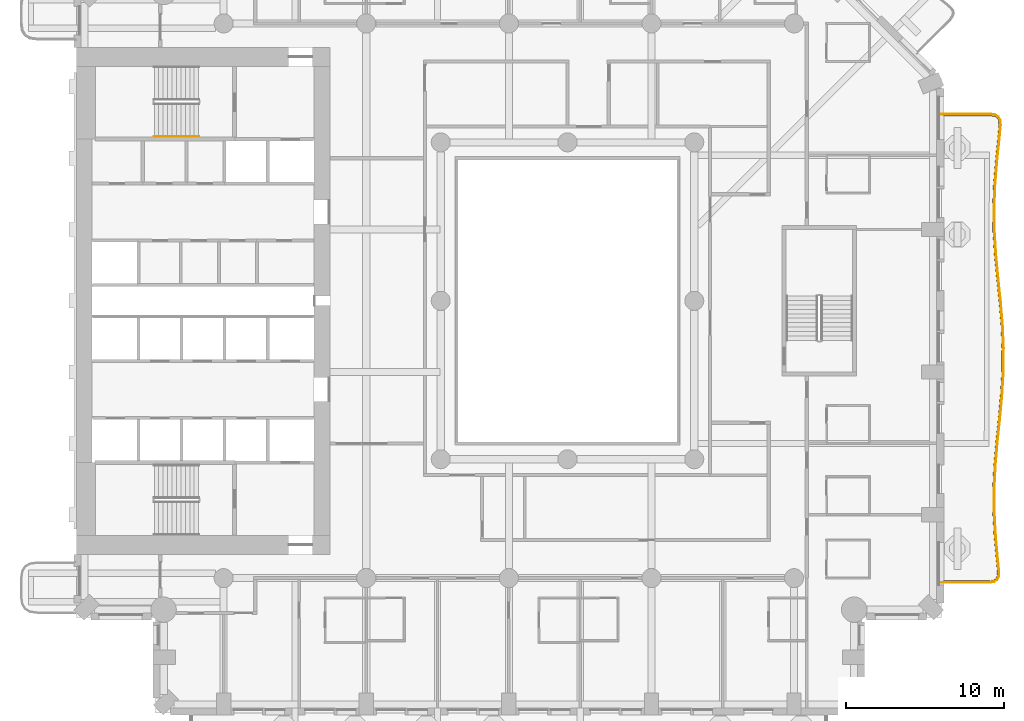
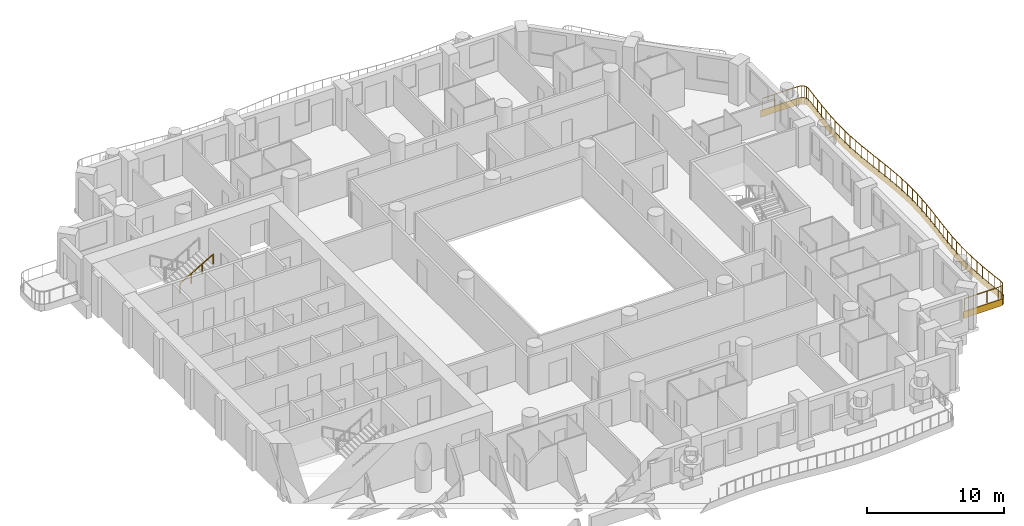
# One storey, part 16 of 20: 2 railings, 1 covering.
"""IFC4 building model written with IfcOpenShell, lengths in metres."""

from ifc_helpers import new_model, si_unit, direction, frame, origin, origin_2d, place, context, subcontext, project, spatial, polyline, rectangle, outline, extrude, material, layer, layer_set, type_object, element, save


model = new_model("IFC4")

# Units and contexts
model_context = context("Model", 3, precision=1e-05, world=origin(), true_north=direction((0.0, 1.0)))
body_context = subcontext(model_context, "Body", "Model", "MODEL_VIEW")
ifc_project = project(units=[si_unit("LENGTHUNIT", "METRE"), si_unit("AREAUNIT", "SQUARE_METRE"), si_unit("VOLUMEUNIT", "CUBIC_METRE"), si_unit("PLANEANGLEUNIT", "RADIAN"), si_unit("MASSUNIT", "GRAM", prefix="KILO")], contexts=[model_context])

# Site, building, storey
site_placement = place(None, origin())
site = spatial("IfcSite", under=ifc_project, at=site_placement, CompositionType="ELEMENT")
building_placement = place(site_placement, origin())
building = spatial("IfcBuilding", under=site, at=building_placement, Name="Cypress Arch Tower", CompositionType="ELEMENT")
storey_placement = place(building_placement, frame((0.0, 0.0, 80.699951171875)))
storey = spatial("IfcBuildingStorey", under=building, at=storey_placement, Name="L14", CompositionType="ELEMENT", Elevation=80.699951171875)

# Covering
ifc_material_1 = material(Name="White powder-coated aluminium fascia", Category="aluminium")
ifc_layer = layer(ifc_material_1, 0.050048828125)
ifc_layer_set = layer_set([ifc_layer], Name="Balcony fascia BF50")
covering_type = type_object("IfcCoveringType", Name="Balcony fascia BF50", PredefinedType="CLADDING", material=ifc_layer_set)
covering_placement = place(storey_placement, frame((0.0, 0.0, -0.599853515625)))
element("IfcCovering", 1, at=covering_placement, inside=storey, type_object=covering_type, Name="Balcony fascia L14-A06", PredefinedType="CLADDING", context=body_context, shape_type="SweptSolid", body=[
    extrude(outline(polyline([(27.708740234375, 11.800048828125), (28.0107421875, 11.756591796875), (28.2275390625, 11.618896484375), (28.343505859375, 11.3896484375), (28.357666015625, 11.0849609375), (28.278564453125, 10.27001953125), (28.127685546875, 8.79541015625), (28.0087890625, 7.322021484375), (27.9521484375, 5.849365234375), (27.972900390625, 4.376953125), (28.065185546875, 2.904052734375), (28.205322265625, 1.429931640625), (28.357177734375, -0.04541015625), (28.4814453125, -1.521728515625), (28.54541015625, -2.9990234375), (28.53271484375, -4.4765625), (28.44677734375, -5.953857421875), (28.3095703125, -7.429931640625), (28.156982421875, -8.90478515625), (28.02880859375, -10.37841796875), (27.957763671875, -11.85107421875), (27.96240234375, -13.323486328125), (28.04150390625, -14.79638671875), (28.174560546875, -16.270263671875), (28.259033203125, -17.084716796875), (28.246826171875, -17.389404296875), (28.132080078125, -17.618896484375), (27.915771484375, -17.756591796875), (27.614013671875, -17.800048828125), (24.60107421875, -17.800048828125), (24.60107421875, -17.75), (27.6103515625, -17.75), (27.89794921875, -17.70849609375), (28.09375, -17.583984375), (28.197265625, -17.376708984375), (28.208984375, -17.086181640625), (28.125, -16.27490234375), (27.99169921875, -14.800048828125), (27.912353515625, -13.324951171875), (27.90771484375, -11.85009765625), (27.978759765625, -10.375), (28.107177734375, -8.89990234375), (28.259765625, -7.425048828125), (28.396728515625, -5.949951171875), (28.48291015625, -4.47509765625), (28.495361328125, -3.0), (28.431396484375, -1.52490234375), (28.3076171875, -0.050048828125), (28.15576171875, 1.425048828125), (28.015380859375, 2.89990234375), (27.9228515625, 4.375), (27.90234375, 5.85009765625), (27.958740234375, 7.324951171875), (28.077880859375, 8.800048828125), (28.228759765625, 10.27490234375), (28.3076171875, 11.086181640625), (28.294189453125, 11.376708984375), (28.189208984375, 11.583984375), (27.992919921875, 11.70849609375), (27.705078125, 11.75), (24.60107421875, 11.75), (24.60107421875, 11.800048828125), (27.708740234375, 11.800048828125)])), origin(), (0.0, 0.0, 1.0), 0.599853515625),
])

# Railings
ifc_material_2 = material(Name="Powder-coated steel posts and rods, 100 mm clear between rods", Category="steel")
railing_type_1 = type_object("IfcRailingType", Name="Balcony guard GR1100", PredefinedType="GUARDRAIL", material=ifc_material_2)
railing_1_placement = place(storey_placement, frame((24.75, 11.699951171875, 0.0)))
element("IfcRailing", 2, at=railing_1_placement, inside=storey, type_object=railing_type_1, Name="Balcony guard L14-A06", PredefinedType="GUARDRAIL", context=body_context, shape_type="SweptSolid", body=[
    extrude(rectangle(XDim=0.050048828125, YDim=0.050048828125, at=origin_2d()), frame((0.0, 0.0, 1.0751953125), z_axis=(1.0, 0.0, 0.0), x_axis=(0.0, 1.0, 0.0)), (0.0, 0.0, 1.0), 2.95166015625),
    extrude(rectangle(XDim=0.050048828125, YDim=0.050048828125, at=origin_2d()), frame((2.95166015625, 0.0, 1.0751953125), z_axis=(0.989825386618, -0.142287399326, 0.0), x_axis=(0.142287399326, 0.989825386618, 0.0)), (0.0, 0.0, 1.0), 0.2763671875),
    extrude(rectangle(XDim=0.050048828125, YDim=0.050048828125, at=origin_2d()), frame((3.22509765625, -0.039306640625, 1.0751953125), z_axis=(0.844819075554, -0.535052081184, 0.0), x_axis=(0.535052081184, 0.844819075554, 0.0)), (0.0, 0.0, 1.0), 0.2080078125),
    extrude(rectangle(XDim=0.050048828125, YDim=0.050048828125, at=origin_2d()), frame((3.40087890625, -0.150634765625, 1.0751953125), z_axis=(0.450495442102, -0.892778727707, 0.0), x_axis=(0.892778727707, 0.450495442102, 0.0)), (0.0, 0.0, 1.0), 0.2080078125),
    extrude(rectangle(XDim=0.050048828125, YDim=0.050048828125, at=origin_2d()), frame((3.49462890625, -0.33642578125, 1.0751953125), z_axis=(0.046809816486, -0.998903819735, 0.0), x_axis=(0.998903819735, 0.046809816486, 0.0)), (0.0, 0.0, 1.0), 0.2763671875),
    extrude(rectangle(XDim=0.050048828125, YDim=0.050048828125, at=origin_2d()), frame((3.507568359375, -0.612548828125, 1.0751953125), z_axis=(-0.096910905803, -0.995293060529, 0.0), x_axis=(0.995293060529, -0.096910905803, 0.0)), (0.0, 0.0, 1.0), 0.811279296875),
    extrude(rectangle(XDim=0.050048828125, YDim=0.050048828125, at=origin_2d()), frame((3.428955078125, -1.419921875, 1.0751953125), z_axis=(-0.101719802927, -0.994813088822, 0.0), x_axis=(0.994813088822, -0.101719802927, 0.0)), (0.0, 0.0, 1.0), 1.4833984375),
    extrude(rectangle(XDim=0.050048828125, YDim=0.050048828125, at=origin_2d()), frame((3.278076171875, -2.8955078125, 1.0751953125), z_axis=(-0.0804264462, -0.996760546346, 0.0), x_axis=(0.996760546346, -0.0804264462, 0.0)), (0.0, 0.0, 1.0), 1.4814453125),
    extrude(rectangle(XDim=0.050048828125, YDim=0.050048828125, at=origin_2d()), frame((3.158935546875, -4.3720703125, 1.0751953125), z_axis=(-0.038312620405, -0.999265802036, 0.0), x_axis=(0.999265802036, -0.038312620405, 0.0)), (0.0, 0.0, 1.0), 1.478271484375),
    extrude(rectangle(XDim=0.050048828125, YDim=0.050048828125, at=origin_2d()), frame((3.102294921875, -5.849365234375, 1.0751953125), z_axis=(0.013878372443, -0.999903690751, 0.0), x_axis=(0.999903690751, 0.013878372443, 0.0)), (0.0, 0.0, 1.0), 1.477783203125),
    extrude(rectangle(XDim=0.050048828125, YDim=0.050048828125, at=origin_2d()), frame((3.122802734375, -7.326904296875, 1.0751953125), z_axis=(0.062522069, -0.998043581658, 0.0), x_axis=(0.998043581658, 0.062522069, 0.0)), (0.0, 0.0, 1.0), 1.47998046875),
    extrude(rectangle(XDim=0.050048828125, YDim=0.050048828125, at=origin_2d()), frame((3.21533203125, -8.803955078125, 1.0751953125), z_axis=(0.094855721039, -0.995491030691, 0.0), x_axis=(0.995491030691, 0.094855721039, 0.0)), (0.0, 0.0, 1.0), 1.482421875),
    extrude(rectangle(XDim=0.050048828125, YDim=0.050048828125, at=origin_2d()), frame((3.35595703125, -10.27978515625, 1.0751953125), z_axis=(0.102421610817, -0.994741078692, 0.0), x_axis=(0.994741078692, 0.102421610817, 0.0)), (0.0, 0.0, 1.0), 1.482666015625),
    extrude(rectangle(XDim=0.050048828125, YDim=0.050048828125, at=origin_2d()), frame((3.5078125, -11.754638671875, 1.0751953125), z_axis=(0.083715044817, -0.996489734654, 0.0), x_axis=(0.996489734654, 0.083715044817, 0.0)), (0.0, 0.0, 1.0), 1.478515625),
    extrude(rectangle(XDim=0.050048828125, YDim=0.050048828125, at=origin_2d()), frame((3.631591796875, -13.22802734375, 1.0751953125), z_axis=(0.043221630659, -0.999065508685, 0.0), x_axis=(0.999065508685, 0.043221630659, 0.0)), (0.0, 0.0, 1.0), 1.474365234375),
    extrude(rectangle(XDim=0.050048828125, YDim=0.050048828125, at=origin_2d()), frame((3.6953125, -14.700927734375, 1.0751953125), z_axis=(-0.008456006734, -0.999964247336, 0.0), x_axis=(0.999964247336, -0.008456006734, 0.0)), (0.0, 0.0, 1.0), 1.472412109375),
    extrude(rectangle(XDim=0.050048828125, YDim=0.050048828125, at=origin_2d()), frame((3.682861328125, -16.17333984375, 1.0751953125), z_axis=(-0.058246706649, -0.998302219353, 0.0), x_axis=(0.998302219353, -0.058246706649, 0.0)), (0.0, 0.0, 1.0), 1.475341796875),
    extrude(rectangle(XDim=0.050048828125, YDim=0.050048828125, at=origin_2d()), frame((3.596923828125, -17.646240234375, 1.0751953125), z_axis=(-0.092528298978, -0.995710055131, 0.0), x_axis=(0.995710055131, -0.092528298978, 0.0)), (0.0, 0.0, 1.0), 1.480224609375),
    extrude(rectangle(XDim=0.050048828125, YDim=0.050048828125, at=origin_2d()), frame((3.4599609375, -19.1201171875, 1.0751953125), z_axis=(-0.102730643463, -0.994709211224, 0.0), x_axis=(0.994709211224, -0.102730643463, 0.0)), (0.0, 0.0, 1.0), 1.48291015625),
    extrude(rectangle(XDim=0.050048828125, YDim=0.050048828125, at=origin_2d()), frame((3.3076171875, -20.59521484375, 1.0751953125), z_axis=(-0.086821561775, -0.996223878659, 0.0), x_axis=(0.996223878659, -0.086821561775, 0.0)), (0.0, 0.0, 1.0), 1.48193359375),
    extrude(rectangle(XDim=0.050048828125, YDim=0.050048828125, at=origin_2d()), frame((3.178955078125, -22.071533203125, 1.0751953125), z_axis=(-0.04820039731, -0.998837685362, 0.0), x_axis=(0.998837685362, -0.04820039731, 0.0)), (0.0, 0.0, 1.0), 1.47900390625),
    extrude(rectangle(XDim=0.050048828125, YDim=0.050048828125, at=origin_2d()), frame((3.107666015625, -23.548828125, 1.0751953125), z_axis=(0.003139442559, -0.999995071938, 0.0), x_axis=(0.999995071938, 0.003139442559, 0.0)), (0.0, 0.0, 1.0), 1.4775390625),
    extrude(rectangle(XDim=0.050048828125, YDim=0.050048828125, at=origin_2d()), frame((3.1123046875, -25.0263671875, 1.0751953125), z_axis=(0.053632826865, -0.998560724184, 0.0), x_axis=(0.998560724184, 0.053632826865, 0.0)), (0.0, 0.0, 1.0), 1.4794921875),
    extrude(rectangle(XDim=0.050048828125, YDim=0.050048828125, at=origin_2d()), frame((3.191650390625, -26.503662109375, 1.0751953125), z_axis=(0.090105020079, -0.995932269462, 0.0), x_axis=(0.995932269462, 0.090105020079, 0.0)), (0.0, 0.0, 1.0), 1.482177734375),
    extrude(rectangle(XDim=0.050048828125, YDim=0.050048828125, at=origin_2d()), frame((3.3251953125, -27.979736328125, 1.0751953125), z_axis=(0.102776115939, -0.99470451391, 0.0), x_axis=(0.99470451391, 0.102776115939, 0.0)), (0.0, 0.0, 1.0), 0.8125),
    extrude(rectangle(XDim=0.050048828125, YDim=0.050048828125, at=origin_2d()), frame((3.40869140625, -28.787841796875, 1.0751953125), z_axis=(-0.039756342338, -0.999209404101, 0.0), x_axis=(0.999209404101, -0.039756342338, 0.0)), (0.0, 0.0, 1.0), 0.2763671875),
    extrude(rectangle(XDim=0.050048828125, YDim=0.050048828125, at=origin_2d()), frame((3.397705078125, -29.06396484375, 1.0751953125), z_axis=(-0.446742037809, -0.894662814503, 0.0), x_axis=(0.894662814503, -0.446742037809, 0.0)), (0.0, 0.0, 1.0), 0.20703125),
    extrude(rectangle(XDim=0.050048828125, YDim=0.050048828125, at=origin_2d()), frame((3.30517578125, -29.249267578125, 1.0751953125), z_axis=(-0.843806833318, -0.5366470237, 0.0), x_axis=(0.5366470237, -0.843806833318, 0.0)), (0.0, 0.0, 1.0), 0.20751953125),
    extrude(rectangle(XDim=0.050048828125, YDim=0.050048828125, at=origin_2d()), frame((3.130126953125, -29.360595703125, 1.0751953125), z_axis=(-0.989825386618, -0.142287399326, 0.0), x_axis=(0.142287399326, -0.989825386618, 0.0)), (0.0, 0.0, 1.0), 0.2763671875),
    extrude(rectangle(XDim=0.050048828125, YDim=0.050048828125, at=origin_2d()), frame((2.856689453125, -29.39990234375, 1.0751953125), z_axis=(-1.0, 0.0, 0.0), x_axis=(0.0, -1.0, 0.0)), (0.0, 0.0, 1.0), 2.856689453125),
    extrude(rectangle(XDim=0.0400390625, YDim=0.0400390625, at=origin_2d()), origin(), (0.0, 0.0, 1.0), 1.050048828125),
    extrude(rectangle(XDim=0.0400390625, YDim=0.0400390625, at=origin_2d()), frame((0.98388671875, 0.0, 0.0)), (0.0, 0.0, 1.0), 1.050048828125),
    extrude(rectangle(XDim=0.0400390625, YDim=0.0400390625, at=origin_2d()), frame((1.9677734375, 0.0, 0.0)), (0.0, 0.0, 1.0), 1.050048828125),
    extrude(rectangle(XDim=0.0400390625, YDim=0.0400390625, at=origin_2d()), frame((2.95166015625, 0.0, 0.0)), (0.0, 0.0, 1.0), 1.050048828125),
    extrude(rectangle(XDim=0.0400390625, YDim=0.0400390625, at=origin_2d()), frame((3.22509765625, -0.039306640625, 0.0)), (0.0, 0.0, 1.0), 1.050048828125),
    extrude(rectangle(XDim=0.0400390625, YDim=0.0400390625, at=origin_2d()), frame((3.40087890625, -0.150634765625, 0.0)), (0.0, 0.0, 1.0), 1.050048828125),
    extrude(rectangle(XDim=0.0400390625, YDim=0.0400390625, at=origin_2d()), frame((3.49462890625, -0.33642578125, 0.0)), (0.0, 0.0, 1.0), 1.050048828125),
    extrude(rectangle(XDim=0.0400390625, YDim=0.0400390625, at=origin_2d()), frame((3.507568359375, -0.612548828125, 0.0)), (0.0, 0.0, 1.0), 1.050048828125),
    extrude(rectangle(XDim=0.0400390625, YDim=0.0400390625, at=origin_2d()), frame((3.428955078125, -1.419921875, 0.0)), (0.0, 0.0, 1.0), 1.050048828125),
    extrude(rectangle(XDim=0.0400390625, YDim=0.0400390625, at=origin_2d()), frame((3.353515625, -2.15771484375, 0.0)), (0.0, 0.0, 1.0), 1.050048828125),
    extrude(rectangle(XDim=0.0400390625, YDim=0.0400390625, at=origin_2d()), frame((3.278076171875, -2.8955078125, 0.0)), (0.0, 0.0, 1.0), 1.050048828125),
    extrude(rectangle(XDim=0.0400390625, YDim=0.0400390625, at=origin_2d()), frame((3.218505859375, -3.6337890625, 0.0)), (0.0, 0.0, 1.0), 1.050048828125),
    extrude(rectangle(XDim=0.0400390625, YDim=0.0400390625, at=origin_2d()), frame((3.158935546875, -4.3720703125, 0.0)), (0.0, 0.0, 1.0), 1.050048828125),
    extrude(rectangle(XDim=0.0400390625, YDim=0.0400390625, at=origin_2d()), frame((3.130615234375, -5.11083984375, 0.0)), (0.0, 0.0, 1.0), 1.050048828125),
    extrude(rectangle(XDim=0.0400390625, YDim=0.0400390625, at=origin_2d()), frame((3.102294921875, -5.849365234375, 0.0)), (0.0, 0.0, 1.0), 1.050048828125),
    extrude(rectangle(XDim=0.0400390625, YDim=0.0400390625, at=origin_2d()), frame((3.112548828125, -6.588134765625, 0.0)), (0.0, 0.0, 1.0), 1.050048828125),
    extrude(rectangle(XDim=0.0400390625, YDim=0.0400390625, at=origin_2d()), frame((3.122802734375, -7.326904296875, 0.0)), (0.0, 0.0, 1.0), 1.050048828125),
    extrude(rectangle(XDim=0.0400390625, YDim=0.0400390625, at=origin_2d()), frame((3.1689453125, -8.0654296875, 0.0)), (0.0, 0.0, 1.0), 1.050048828125),
    extrude(rectangle(XDim=0.0400390625, YDim=0.0400390625, at=origin_2d()), frame((3.21533203125, -8.803955078125, 0.0)), (0.0, 0.0, 1.0), 1.050048828125),
    extrude(rectangle(XDim=0.0400390625, YDim=0.0400390625, at=origin_2d()), frame((3.28564453125, -9.5419921875, 0.0)), (0.0, 0.0, 1.0), 1.050048828125),
    extrude(rectangle(XDim=0.0400390625, YDim=0.0400390625, at=origin_2d()), frame((3.35595703125, -10.27978515625, 0.0)), (0.0, 0.0, 1.0), 1.050048828125),
    extrude(rectangle(XDim=0.0400390625, YDim=0.0400390625, at=origin_2d()), frame((3.431884765625, -11.01708984375, 0.0)), (0.0, 0.0, 1.0), 1.050048828125),
    extrude(rectangle(XDim=0.0400390625, YDim=0.0400390625, at=origin_2d()), frame((3.5078125, -11.754638671875, 0.0)), (0.0, 0.0, 1.0), 1.050048828125),
    extrude(rectangle(XDim=0.0400390625, YDim=0.0400390625, at=origin_2d()), frame((3.56982421875, -12.4912109375, 0.0)), (0.0, 0.0, 1.0), 1.050048828125),
    extrude(rectangle(XDim=0.0400390625, YDim=0.0400390625, at=origin_2d()), frame((3.631591796875, -13.22802734375, 0.0)), (0.0, 0.0, 1.0), 1.050048828125),
    extrude(rectangle(XDim=0.0400390625, YDim=0.0400390625, at=origin_2d()), frame((3.66357421875, -13.96435546875, 0.0)), (0.0, 0.0, 1.0), 1.050048828125),
    extrude(rectangle(XDim=0.0400390625, YDim=0.0400390625, at=origin_2d()), frame((3.6953125, -14.700927734375, 0.0)), (0.0, 0.0, 1.0), 1.050048828125),
    extrude(rectangle(XDim=0.0400390625, YDim=0.0400390625, at=origin_2d()), frame((3.68896484375, -15.43701171875, 0.0)), (0.0, 0.0, 1.0), 1.050048828125),
    extrude(rectangle(XDim=0.0400390625, YDim=0.0400390625, at=origin_2d()), frame((3.682861328125, -16.17333984375, 0.0)), (0.0, 0.0, 1.0), 1.050048828125),
    extrude(rectangle(XDim=0.0400390625, YDim=0.0400390625, at=origin_2d()), frame((3.639892578125, -16.90966796875, 0.0)), (0.0, 0.0, 1.0), 1.050048828125),
    extrude(rectangle(XDim=0.0400390625, YDim=0.0400390625, at=origin_2d()), frame((3.596923828125, -17.646240234375, 0.0)), (0.0, 0.0, 1.0), 1.050048828125),
    extrude(rectangle(XDim=0.0400390625, YDim=0.0400390625, at=origin_2d()), frame((3.5283203125, -18.38330078125, 0.0)), (0.0, 0.0, 1.0), 1.050048828125),
    extrude(rectangle(XDim=0.0400390625, YDim=0.0400390625, at=origin_2d()), frame((3.4599609375, -19.1201171875, 0.0)), (0.0, 0.0, 1.0), 1.050048828125),
    extrude(rectangle(XDim=0.0400390625, YDim=0.0400390625, at=origin_2d()), frame((3.3837890625, -19.857666015625, 0.0)), (0.0, 0.0, 1.0), 1.050048828125),
    extrude(rectangle(XDim=0.0400390625, YDim=0.0400390625, at=origin_2d()), frame((3.3076171875, -20.59521484375, 0.0)), (0.0, 0.0, 1.0), 1.050048828125),
    extrude(rectangle(XDim=0.0400390625, YDim=0.0400390625, at=origin_2d()), frame((3.2431640625, -21.33349609375, 0.0)), (0.0, 0.0, 1.0), 1.050048828125),
    extrude(rectangle(XDim=0.0400390625, YDim=0.0400390625, at=origin_2d()), frame((3.178955078125, -22.071533203125, 0.0)), (0.0, 0.0, 1.0), 1.050048828125),
    extrude(rectangle(XDim=0.0400390625, YDim=0.0400390625, at=origin_2d()), frame((3.143310546875, -22.81005859375, 0.0)), (0.0, 0.0, 1.0), 1.050048828125),
    extrude(rectangle(XDim=0.0400390625, YDim=0.0400390625, at=origin_2d()), frame((3.107666015625, -23.548828125, 0.0)), (0.0, 0.0, 1.0), 1.050048828125),
    extrude(rectangle(XDim=0.0400390625, YDim=0.0400390625, at=origin_2d()), frame((3.10986328125, -24.28759765625, 0.0)), (0.0, 0.0, 1.0), 1.050048828125),
    extrude(rectangle(XDim=0.0400390625, YDim=0.0400390625, at=origin_2d()), frame((3.1123046875, -25.0263671875, 0.0)), (0.0, 0.0, 1.0), 1.050048828125),
    extrude(rectangle(XDim=0.0400390625, YDim=0.0400390625, at=origin_2d()), frame((3.15185546875, -25.76513671875, 0.0)), (0.0, 0.0, 1.0), 1.050048828125),
    extrude(rectangle(XDim=0.0400390625, YDim=0.0400390625, at=origin_2d()), frame((3.191650390625, -26.503662109375, 0.0)), (0.0, 0.0, 1.0), 1.050048828125),
    extrude(rectangle(XDim=0.0400390625, YDim=0.0400390625, at=origin_2d()), frame((3.25830078125, -27.24169921875, 0.0)), (0.0, 0.0, 1.0), 1.050048828125),
    extrude(rectangle(XDim=0.0400390625, YDim=0.0400390625, at=origin_2d()), frame((3.3251953125, -27.979736328125, 0.0)), (0.0, 0.0, 1.0), 1.050048828125),
    extrude(rectangle(XDim=0.0400390625, YDim=0.0400390625, at=origin_2d()), frame((3.40869140625, -28.787841796875, 0.0)), (0.0, 0.0, 1.0), 1.050048828125),
    extrude(rectangle(XDim=0.0400390625, YDim=0.0400390625, at=origin_2d()), frame((3.397705078125, -29.06396484375, 0.0)), (0.0, 0.0, 1.0), 1.050048828125),
    extrude(rectangle(XDim=0.0400390625, YDim=0.0400390625, at=origin_2d()), frame((3.30517578125, -29.249267578125, 0.0)), (0.0, 0.0, 1.0), 1.050048828125),
    extrude(rectangle(XDim=0.0400390625, YDim=0.0400390625, at=origin_2d()), frame((3.130126953125, -29.360595703125, 0.0)), (0.0, 0.0, 1.0), 1.050048828125),
    extrude(rectangle(XDim=0.0400390625, YDim=0.0400390625, at=origin_2d()), frame((2.856689453125, -29.39990234375, 0.0)), (0.0, 0.0, 1.0), 1.050048828125),
    extrude(rectangle(XDim=0.0400390625, YDim=0.0400390625, at=origin_2d()), frame((1.904541015625, -29.39990234375, 0.0)), (0.0, 0.0, 1.0), 1.050048828125),
    extrude(rectangle(XDim=0.0400390625, YDim=0.0400390625, at=origin_2d()), frame((0.9521484375, -29.39990234375, 0.0)), (0.0, 0.0, 1.0), 1.050048828125),
    extrude(rectangle(XDim=0.0400390625, YDim=0.0400390625, at=origin_2d()), frame((0.0, -29.39990234375, 0.0)), (0.0, 0.0, 1.0), 1.050048828125),
])
ifc_material_3 = material(Name="Black powder-coated steel square bar 48 mm", Category="steel")
railing_type_2 = type_object("IfcRailingType", Name="Stair handrail HR1", PredefinedType="HANDRAIL", material=ifc_material_3)
railing_2_placement = place(storey_placement, frame((-25.074951171875, 10.375, 1.963623046875)))
element("IfcRailing", 3, at=railing_2_placement, inside=storey, type_object=railing_type_2, Name="L14 B stair handrail 2", PredefinedType="HANDRAIL", context=body_context, shape_type="SweptSolid", body=[
    extrude(rectangle(XDim=0.048095703125, YDim=0.048095703125, at=origin_2d()), frame((0.0, 0.0, 0.8759765625), z_axis=(0.863360870873, 0.0, 0.504586966384), x_axis=(0.0, 1.0, 0.0)), (0.0, 0.0, 1.0), 3.2431640625),
    extrude(rectangle(XDim=0.0419921875, YDim=0.0419921875, at=origin_2d()), origin(), (0.0, 0.0, 1.0), 0.851806640625),
    extrude(rectangle(XDim=0.0419921875, YDim=0.0419921875, at=origin_2d()), frame((0.933349609375, 0.0, 0.54541015625)), (0.0, 0.0, 1.0), 0.851806640625),
    extrude(rectangle(XDim=0.0419921875, YDim=0.0419921875, at=origin_2d()), frame((1.86669921875, 0.0, 1.091064453125)), (0.0, 0.0, 1.0), 0.851806640625),
    extrude(rectangle(XDim=0.0419921875, YDim=0.0419921875, at=origin_2d()), frame((2.800048828125, 0.0, 1.636474609375)), (0.0, 0.0, 1.0), 0.851806640625),
])

save(model, "model.ifc")
